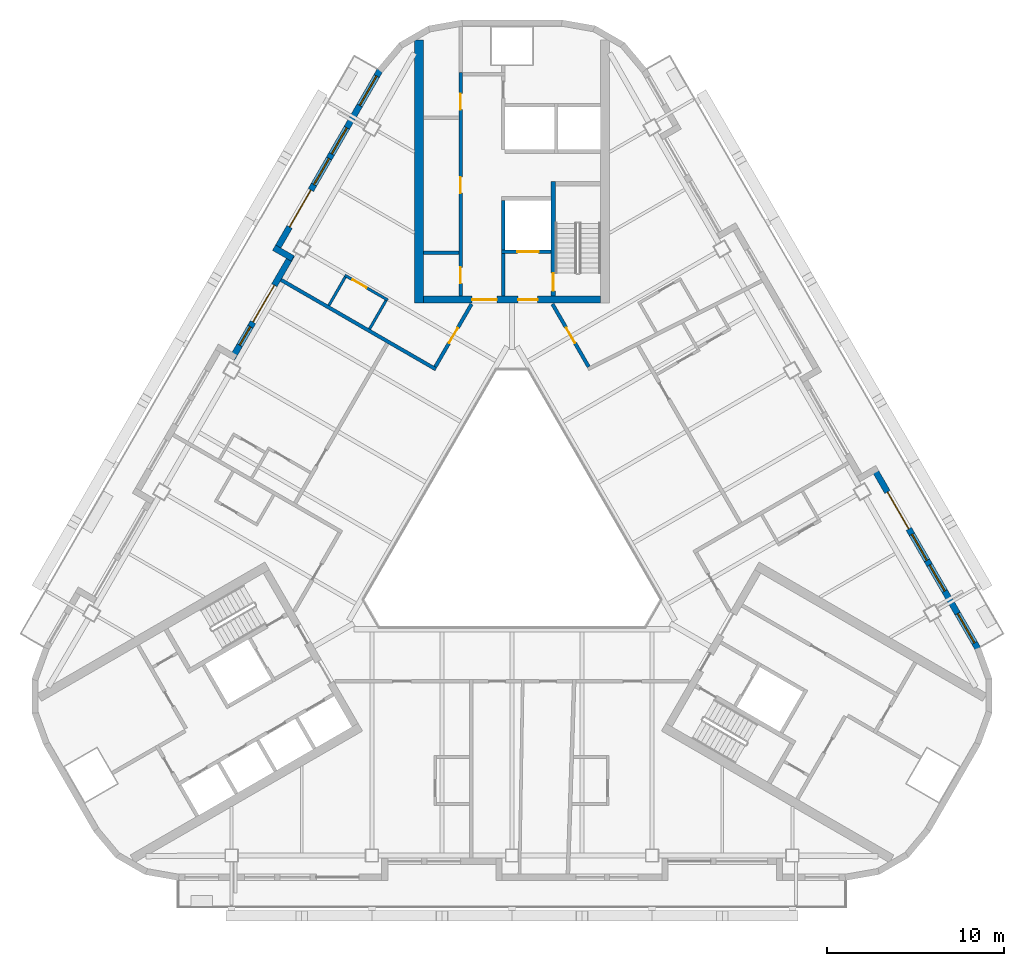
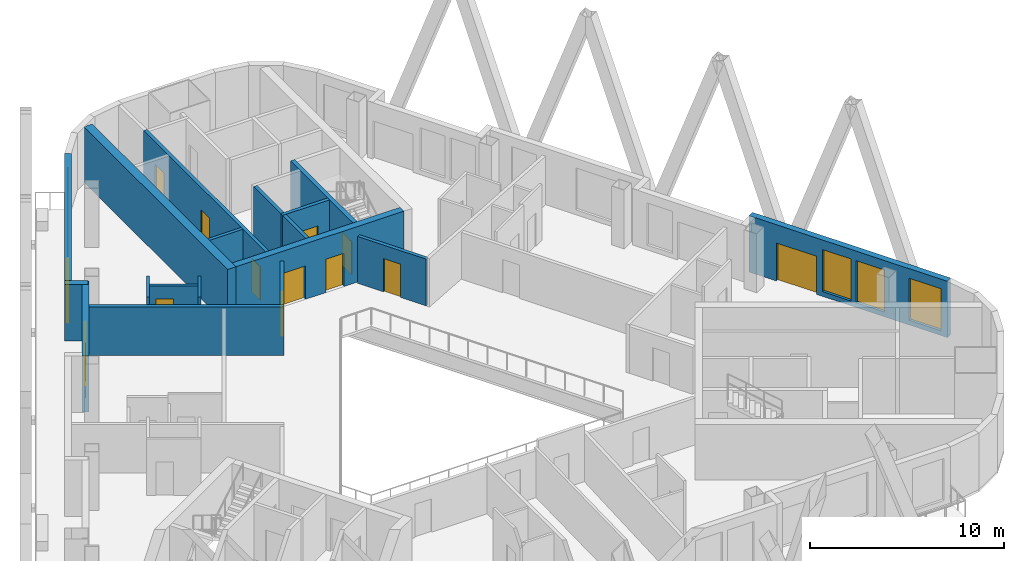
# One storey, part 6 of 14: 18 walls, 13 doors, 7 windows, 20 openings.
"""IFC4 building model written with IfcOpenShell, lengths in metres."""

from ifc_helpers import new_model, si_unit, direction, frame, frame_2d, origin, place, context, subcontext, project, spatial, rectangle, extrude, material, layer, layer_set, type_object, element, fill, save


model = new_model("IFC4")

# Units and contexts
model_context = context("Model", 3, precision=1e-05, world=origin(), true_north=direction((0.0, 1.0)))
body_context = subcontext(model_context, "Body", "Model", "MODEL_VIEW")
ifc_project = project(units=[si_unit("LENGTHUNIT", "METRE"), si_unit("AREAUNIT", "SQUARE_METRE"), si_unit("VOLUMEUNIT", "CUBIC_METRE"), si_unit("PLANEANGLEUNIT", "RADIAN"), si_unit("MASSUNIT", "GRAM", prefix="KILO")], contexts=[model_context])

# Site, building, storey
site_placement = place(None, origin())
site = spatial("IfcSite", under=ifc_project, at=site_placement, CompositionType="ELEMENT")
building_placement = place(site_placement, origin())
building = spatial("IfcBuilding", under=site, at=building_placement, Name="Apuvela Tower Hotel", CompositionType="ELEMENT")
storey_placement = place(building_placement, frame((0.0, 0.0, 213.199951171875)))
storey = spatial("IfcBuildingStorey", under=building, at=storey_placement, Name="L52", CompositionType="ELEMENT", Elevation=213.199951171875)

# Wall, openings, doors
ifc_material_1 = material(Name="Concrete C50/60", Category="concrete")
ifc_layer_1 = layer(ifc_material_1, 0.39990234375)
ifc_layer_set_1 = layer_set([ifc_layer_1], Name="COR-WALL-CORE-400")
wall_type_1 = type_object("IfcWallType", Name="COR-WALL-CORE-400", PredefinedType="SHEAR", material=ifc_layer_set_1)
wall_1_placement = place(storey_placement, frame((5.0, 13.10009765625, 0.0), z_axis=(0.0, 0.0, 1.0), x_axis=(-1.0, 0.0, 0.0)))
wall_1 = element("IfcWall", 1, at=wall_1_placement, inside=storey, type_object=wall_type_1, Name="Core wall N", PredefinedType="SHEAR", context=body_context, shape_type="SweptSolid", body=[
    extrude(rectangle(XDim=10.0, YDim=0.39990234375, at=frame_2d((5.0, 0.0))), origin(), (0.0, 0.0, 1.0), 3.5),
])
opening_1_placement = place(wall_1_placement, frame((3.550048828125, 0.0, 0.0)))
opening_1 = element("IfcOpeningElement", 2, at=opening_1_placement, cuts=wall_1, Name="Opening N-FD", PredefinedType="OPENING", context=body_context, shape_type="SweptSolid", body=[
    extrude(rectangle(XDim=1.10009765625, YDim=2.10009765625, at=frame_2d((0.550048828125, 1.050048828125))), frame((0.0, 0.2099609375, 0.0), z_axis=(0.0, -1.0, 0.0), x_axis=(1.0, 0.0, 0.0)), (0.0, 0.0, 1.0), 0.419921875),
])
opening_2_placement = place(wall_1_placement, frame((5.85009765625, 0.0, 0.0)))
opening_2 = element("IfcOpeningElement", 3, at=opening_2_placement, cuts=wall_1, Name="Opening N-GD", PredefinedType="OPENING", context=body_context, shape_type="SweptSolid", body=[
    extrude(rectangle(XDim=1.39990234375, YDim=2.10009765625, at=frame_2d((0.699951171875, 1.050048828125))), frame((0.0, 0.2099609375, 0.0), z_axis=(0.0, -1.0, 0.0), x_axis=(1.0, 0.0, 0.0)), (0.0, 0.0, 1.0), 0.419921875),
])
ifc_material_2 = material(Name="Steel fire door, powder coated", Category="steel")
door_type_1 = type_object("IfcDoorType", Name="COR-FD-1100", OperationType="NOTDEFINED", PredefinedType="DOOR", material=ifc_material_2)
door_1_placement = place(opening_1_placement, frame((1.10009765625, 0.0, 0.0), z_axis=(0.0, 0.0, 1.0), x_axis=(-1.0, 0.0, 0.0)))
door_1 = element("IfcDoor", 4, at=door_1_placement, inside=storey, type_object=door_type_1, Name="Firefighting lobby door N-FD", OperationType="SINGLE_SWING_LEFT", OverallHeight=2.10009765625, OverallWidth=1.10009765625, PredefinedType="DOOR", context=body_context, shape_type="SweptSolid", body=[
    extrude(rectangle(XDim=1.10009765625, YDim=2.10009765625, at=frame_2d((0.550048828125, 1.050048828125))), frame((0.0, 0.02490234375, 0.0), z_axis=(0.0, -1.0, 0.0), x_axis=(1.0, 0.0, 0.0)), (0.0, 0.0, 1.0), 0.050048828125),
])
fill(opening_1, door_1)
ifc_material_3 = material(Name="Glazed steel fire door", Category="steel")
door_type_2 = type_object("IfcDoorType", Name="COR-GD-1400", OperationType="DOUBLE_DOOR_SINGLE_SWING", PredefinedType="DOOR", material=ifc_material_3)
door_2_placement = place(opening_2_placement, frame((1.39990234375, 0.0, 0.0), z_axis=(0.0, 0.0, 1.0), x_axis=(-1.0, 0.0, 0.0)))
door_2 = element("IfcDoor", 5, at=door_2_placement, inside=storey, type_object=door_type_2, Name="Lift lobby door N-GD", OperationType="DOUBLE_DOOR_SINGLE_SWING", OverallHeight=2.10009765625, OverallWidth=1.39990234375, PredefinedType="DOOR", context=body_context, shape_type="SweptSolid", body=[
    extrude(rectangle(XDim=1.39990234375, YDim=2.10009765625, at=frame_2d((0.699951171875, 1.050048828125))), frame((0.0, 0.02490234375, 0.0), z_axis=(0.0, -1.0, 0.0), x_axis=(1.0, 0.0, 0.0)), (0.0, 0.0, 1.0), 0.050048828125),
])
fill(opening_2, door_2)

# Wall
ifc_layer_2 = layer(ifc_material_1, 0.5)
ifc_layer_set_2 = layer_set([ifc_layer_2], Name="COR-WALL-CORE-500")
wall_type_2 = type_object("IfcWallType", Name="COR-WALL-CORE-500", PredefinedType="SHEAR", material=ifc_layer_set_2)
wall_2_placement = place(storey_placement, frame((-5.25, 12.89990234375, 0.0), z_axis=(0.0, 0.0, 1.0), x_axis=(0.0, 1.0, 0.0)))
element("IfcWall", 6, at=wall_2_placement, inside=storey, type_object=wall_type_2, Name="Core wall N", PredefinedType="SHEAR", context=body_context, shape_type="SweptSolid", body=[
    extrude(rectangle(XDim=14.8369140625, YDim=0.5, at=frame_2d((7.41845703125, 0.0))), origin(), (0.0, 0.0, 1.0), 3.5),
])

# Wall, opening, door
ifc_layer_3 = layer(ifc_material_1, 0.199951171875)
ifc_layer_set_3 = layer_set([ifc_layer_3], Name="COR-WALL-SHAFT-200")
wall_type_3 = type_object("IfcWallType", Name="COR-WALL-SHAFT-200", PredefinedType="SHEAR", material=ifc_layer_set_3)
wall_3_placement = place(storey_placement, frame((2.199951171875, 15.800048828125, 0.0), z_axis=(0.0, 0.0, 1.0), x_axis=(-1.0, 0.0, 0.0)))
wall_3 = element("IfcWall", 7, at=wall_3_placement, inside=storey, type_object=wall_type_3, Name="Shaft wall N", PredefinedType="SHEAR", context=body_context, shape_type="SweptSolid", body=[
    extrude(rectangle(XDim=2.800048828125, YDim=0.199951171875, at=frame_2d((1.39990234375, 0.0))), origin(), (0.0, 0.0, 1.0), 3.5),
])
opening_3_placement = place(wall_3_placement, frame((0.699951171875, 0.0, 0.0)))
opening_3 = element("IfcOpeningElement", 8, at=opening_3_placement, cuts=wall_3, Name="Opening N-LD-FS1", PredefinedType="OPENING", context=body_context, shape_type="SweptSolid", body=[
    extrude(rectangle(XDim=1.199951171875, YDim=2.10009765625, at=frame_2d((0.60009765625, 1.050048828125))), frame((0.0, 0.10986328125, 0.0), z_axis=(0.0, -1.0, 0.0), x_axis=(1.0, 0.0, 0.0)), (0.0, 0.0, 1.0), 0.219970703125),
])
ifc_material_4 = material(Name="Stainless steel lift landing door", Category="steel")
door_type_3 = type_object("IfcDoorType", Name="COR-LD-1200", OperationType="DOUBLE_DOOR_SLIDING", PredefinedType="DOOR", material=ifc_material_4)
door_3_placement = place(opening_3_placement, origin())
door_3 = element("IfcDoor", 9, at=door_3_placement, inside=storey, type_object=door_type_3, Name="Lift landing door N-LD-FS1", OperationType="DOUBLE_DOOR_SLIDING", OverallHeight=2.10009765625, OverallWidth=1.199951171875, PredefinedType="DOOR", context=body_context, shape_type="SweptSolid", body=[
    extrude(rectangle(XDim=1.199951171875, YDim=2.10009765625, at=frame_2d((0.60009765625, 1.050048828125))), frame((0.0, 0.02490234375, 0.0), z_axis=(0.0, -1.0, 0.0), x_axis=(1.0, 0.0, 0.0)), (0.0, 0.0, 1.0), 0.050048828125),
])
fill(opening_3, door_3)

# Walls
wall_4_placement = place(storey_placement, frame((-0.5, 15.89990234375, 0.0), z_axis=(0.0, 0.0, 1.0), x_axis=(0.0, 1.0, 0.0)))
element("IfcWall", 10, at=wall_4_placement, inside=storey, type_object=wall_type_3, Name="Shaft wall N", PredefinedType="SHEAR", context=body_context, shape_type="SweptSolid", body=[
    extrude(rectangle(XDim=2.800048828125, YDim=0.199951171875, at=frame_2d((1.39990234375, 0.0))), origin(), (0.0, 0.0, 1.0), 3.5),
])
wall_5_placement = place(storey_placement, frame((-0.5, 13.300048828125, 0.0), z_axis=(0.0, 0.0, 1.0), x_axis=(0.0, 1.0, 0.0)))
element("IfcWall", 11, at=wall_5_placement, inside=storey, type_object=wall_type_3, Name="Shaft wall N", PredefinedType="SHEAR", context=body_context, shape_type="SweptSolid", body=[
    extrude(rectangle(XDim=2.39990234375, YDim=0.199951171875, at=frame_2d((1.199951171875, 0.0))), origin(), (0.0, 0.0, 1.0), 3.5),
])

# Wall, openings, doors
wall_6_placement = place(storey_placement, frame((-2.89990234375, 13.300048828125, 0.0), z_axis=(0.0, 0.0, 1.0), x_axis=(0.0, 1.0, 0.0)))
wall_6 = element("IfcWall", 12, at=wall_6_placement, inside=storey, type_object=wall_type_3, Name="Shaft wall N", PredefinedType="SHEAR", context=body_context, shape_type="SweptSolid", body=[
    extrude(rectangle(XDim=12.599853515625, YDim=0.199951171875, at=frame_2d((6.2998046875, 0.0))), origin(), (0.0, 0.0, 1.0), 3.5),
])
opening_4_placement = place(wall_6_placement, frame((0.719970703125, 0.0, 0.0)))
opening_4 = element("IfcOpeningElement", 13, at=opening_4_placement, cuts=wall_6, Name="Opening N-RE1", PredefinedType="OPENING", context=body_context, shape_type="SweptSolid", body=[
    extrude(rectangle(XDim=0.89990234375, YDim=2.10009765625, at=frame_2d((0.449951171875, 1.050048828125))), frame((0.0, 0.10986328125, 0.0), z_axis=(0.0, -1.0, 0.0), x_axis=(1.0, 0.0, 0.0)), (0.0, 0.0, 1.0), 0.219970703125),
])
opening_5_placement = place(wall_6_placement, frame((5.800048828125, 0.0, 0.0)))
opening_5 = element("IfcOpeningElement", 14, at=opening_5_placement, cuts=wall_6, Name="Opening N-RE2", PredefinedType="OPENING", context=body_context, shape_type="SweptSolid", body=[
    extrude(rectangle(XDim=0.89990234375, YDim=2.10009765625, at=frame_2d((0.449951171875, 1.050048828125))), frame((0.0, 0.10986328125, 0.0), z_axis=(0.0, -1.0, 0.0), x_axis=(1.0, 0.0, 0.0)), (0.0, 0.0, 1.0), 0.219970703125),
])
opening_6_placement = place(wall_6_placement, frame((10.510009765625, 0.0, 0.0)))
opening_6 = element("IfcOpeningElement", 15, at=opening_6_placement, cuts=wall_6, Name="Opening N-REP", PredefinedType="OPENING", context=body_context, shape_type="SweptSolid", body=[
    extrude(rectangle(XDim=0.89990234375, YDim=2.10009765625, at=frame_2d((0.449951171875, 1.050048828125))), frame((0.0, 0.10986328125, 0.0), z_axis=(0.0, -1.0, 0.0), x_axis=(1.0, 0.0, 0.0)), (0.0, 0.0, 1.0), 0.219970703125),
])
door_type_4 = type_object("IfcDoorType", Name="COR-DR-900", OperationType="NOTDEFINED", PredefinedType="DOOR", material=ifc_material_2)
door_4_placement = place(opening_4_placement, origin())
door_4 = element("IfcDoor", 16, at=door_4_placement, inside=storey, type_object=door_type_4, Name="Store door N-RE1", OperationType="SINGLE_SWING_LEFT", OverallHeight=2.10009765625, OverallWidth=0.89990234375, PredefinedType="DOOR", context=body_context, shape_type="SweptSolid", body=[
    extrude(rectangle(XDim=0.89990234375, YDim=2.10009765625, at=frame_2d((0.449951171875, 1.050048828125))), frame((0.0, 0.02490234375, 0.0), z_axis=(0.0, -1.0, 0.0), x_axis=(1.0, 0.0, 0.0)), (0.0, 0.0, 1.0), 0.050048828125),
])
fill(opening_4, door_4)
door_5_placement = place(opening_5_placement, origin())
door_5 = element("IfcDoor", 17, at=door_5_placement, inside=storey, type_object=door_type_4, Name="Store door N-RE2", OperationType="SINGLE_SWING_RIGHT", OverallHeight=2.10009765625, OverallWidth=0.89990234375, PredefinedType="DOOR", context=body_context, shape_type="SweptSolid", body=[
    extrude(rectangle(XDim=0.89990234375, YDim=2.10009765625, at=frame_2d((0.449951171875, 1.050048828125))), frame((0.0, 0.02490234375, 0.0), z_axis=(0.0, -1.0, 0.0), x_axis=(1.0, 0.0, 0.0)), (0.0, 0.0, 1.0), 0.050048828125),
])
fill(opening_5, door_5)
door_6_placement = place(opening_6_placement, origin())
door_6 = element("IfcDoor", 18, at=door_6_placement, inside=storey, type_object=door_type_4, Name="Store door N-REP", OperationType="SINGLE_SWING_RIGHT", OverallHeight=2.10009765625, OverallWidth=0.89990234375, PredefinedType="DOOR", context=body_context, shape_type="SweptSolid", body=[
    extrude(rectangle(XDim=0.89990234375, YDim=2.10009765625, at=frame_2d((0.449951171875, 1.050048828125))), frame((0.0, 0.02490234375, 0.0), z_axis=(0.0, -1.0, 0.0), x_axis=(1.0, 0.0, 0.0)), (0.0, 0.0, 1.0), 0.050048828125),
])
fill(opening_6, door_6)

# Wall
wall_7_placement = place(storey_placement, frame((-3.0, 15.739990234375, 0.0), z_axis=(0.0, 0.0, 1.0), x_axis=(-1.0, 0.0, 0.0)))
element("IfcWall", 19, at=wall_7_placement, inside=storey, type_object=wall_type_3, Name="Shaft wall N", PredefinedType="SHEAR", context=body_context, shape_type="SweptSolid", body=[
    extrude(rectangle(XDim=2.0, YDim=0.199951171875, at=frame_2d((1.0, 0.0))), origin(), (0.0, 0.0, 1.0), 3.5),
])

# Wall, opening, door
ifc_layer_4 = layer(ifc_material_1, 0.25)
ifc_layer_set_4 = layer_set([ifc_layer_4], Name="COR-WALL-STAIR-250")
wall_type_4 = type_object("IfcWallType", Name="COR-WALL-STAIR-250", PredefinedType="SHEAR", material=ifc_layer_set_4)
wall_8_placement = place(storey_placement, frame((2.324951171875, 13.300048828125, 0.0), z_axis=(0.0, 0.0, 1.0), x_axis=(0.0, 1.0, 0.0)))
wall_8 = element("IfcWall", 20, at=wall_8_placement, inside=storey, type_object=wall_type_4, Name="Stair wall N", PredefinedType="SHEAR", context=body_context, shape_type="SweptSolid", body=[
    extrude(rectangle(XDim=6.449951171875, YDim=0.25, at=frame_2d((3.22509765625, 0.0))), origin(), (0.0, 0.0, 1.0), 3.5),
])
opening_7_placement = place(wall_8_placement, frame((0.300048828125, 0.0, 0.0)))
opening_7 = element("IfcOpeningElement", 21, at=opening_7_placement, cuts=wall_8, Name="Opening N-SD", PredefinedType="OPENING", context=body_context, shape_type="SweptSolid", body=[
    extrude(rectangle(XDim=1.0, YDim=2.10009765625, at=frame_2d((0.5, 1.050048828125))), frame((0.0, 0.135009765625, 0.0), z_axis=(0.0, -1.0, 0.0), x_axis=(1.0, 0.0, 0.0)), (0.0, 0.0, 1.0), 0.27001953125),
])
door_type_5 = type_object("IfcDoorType", Name="COR-SD-1000", OperationType="NOTDEFINED", PredefinedType="DOOR", material=ifc_material_2)
door_7_placement = place(opening_7_placement, frame((1.0, 0.0, 0.0), z_axis=(0.0, 0.0, 1.0), x_axis=(-1.0, 0.0, 0.0)))
door_7 = element("IfcDoor", 22, at=door_7_placement, inside=storey, type_object=door_type_5, Name="Stair door N-SD", OperationType="SINGLE_SWING_LEFT", OverallHeight=2.10009765625, OverallWidth=1.0, PredefinedType="DOOR", context=body_context, shape_type="SweptSolid", body=[
    extrude(rectangle(XDim=1.0, YDim=2.10009765625, at=frame_2d((0.5, 1.050048828125))), frame((0.0, 0.02490234375, 0.0), z_axis=(0.0, -1.0, 0.0), x_axis=(1.0, 0.0, 0.0)), (0.0, 0.0, 1.0), 0.050048828125),
])
fill(opening_7, door_7)

# Wall, openings, door, windows
ifc_material_5 = material(Name="Concrete C40/50, dark pigmented precast panel", Category="concrete")
ifc_layer_5 = layer(ifc_material_5, 0.35009765625)
ifc_layer_set_5 = layer_set([ifc_layer_5], Name="ENV-WALL-350")
wall_type_5 = type_object("IfcWallType", Name="ENV-WALL-350", PredefinedType="SOLIDWALL", material=ifc_layer_set_5)
wall_9_placement = place(storey_placement, frame((-7.440673828125, 26.0224609375, 0.0), z_axis=(0.0, 0.0, 1.0), x_axis=(-0.499992533062, -0.86602971478, 0.0)))
wall_9 = element("IfcWall", 23, at=wall_9_placement, inside=storey, type_object=wall_type_5, Name="External wall L52-01", PredefinedType="SOLIDWALL", context=body_context, shape_type="SweptSolid", body=[
    extrude(rectangle(XDim=11.815673828125, YDim=0.35009765625, at=frame_2d((5.90771484375, 0.0))), origin(), (0.0, 0.0, 1.0), 3.550048828125),
])
opening_8_placement = place(wall_9_placement, frame((0.381103515625, 0.0, 0.300048828125)))
opening_8 = element("IfcOpeningElement", 24, at=opening_8_placement, cuts=wall_9, Name="Opening WN19", PredefinedType="OPENING", context=body_context, shape_type="SweptSolid", body=[
    extrude(rectangle(XDim=1.89990234375, YDim=2.64990234375, at=frame_2d((0.949951171875, 1.324951171875))), frame((0.0, 0.18505859375, 0.0), z_axis=(0.0, -1.0, 0.0), x_axis=(1.0, 0.0, 0.0)), (0.0, 0.0, 1.0), 0.3701171875),
])
opening_9_placement = place(wall_9_placement, frame((7.79052734375, 0.0, 0.0)))
opening_9 = element("IfcOpeningElement", 25, at=opening_9_placement, cuts=wall_9, Name="Opening BD24", PredefinedType="OPENING", context=body_context, shape_type="SweptSolid", body=[
    extrude(rectangle(XDim=2.39990234375, YDim=2.39990234375, at=frame_2d((1.199951171875, 1.199951171875))), frame((0.0, 0.18505859375, 0.0), z_axis=(0.0, -1.0, 0.0), x_axis=(1.0, 0.0, 0.0)), (0.0, 0.0, 1.0), 0.3701171875),
])
opening_10_placement = place(wall_9_placement, frame((3.7412109375, 0.0, 0.300048828125)))
opening_10 = element("IfcOpeningElement", 26, at=opening_10_placement, cuts=wall_9, Name="Opening WN17", PredefinedType="OPENING", context=body_context, shape_type="SweptSolid", body=[
    extrude(rectangle(XDim=1.699951171875, YDim=2.64990234375, at=frame_2d((0.85009765625, 1.324951171875))), frame((0.0, 0.18505859375, 0.0), z_axis=(0.0, -1.0, 0.0), x_axis=(1.0, 0.0, 0.0)), (0.0, 0.0, 1.0), 0.3701171875),
])
opening_11_placement = place(wall_9_placement, frame((5.7412109375, 0.0, 0.300048828125)))
opening_11 = element("IfcOpeningElement", 27, at=opening_11_placement, cuts=wall_9, Name="Opening WN17", PredefinedType="OPENING", context=body_context, shape_type="SweptSolid", body=[
    extrude(rectangle(XDim=1.699951171875, YDim=2.64990234375, at=frame_2d((0.85009765625, 1.324951171875))), frame((0.0, 0.18505859375, 0.0), z_axis=(0.0, -1.0, 0.0), x_axis=(1.0, 0.0, 0.0)), (0.0, 0.0, 1.0), 0.3701171875),
])
ifc_material_6 = material(Name="Aluminium 6063-T6, dark bronze anodised frame with dark tinted laminated glass", Category="aluminium")
door_type_6 = type_object("IfcDoorType", Name="ENV-DOOR-BALCONY-2400x2400", OperationType="SLIDING_TO_LEFT", PredefinedType="DOOR", material=ifc_material_6)
door_8_placement = place(opening_9_placement, frame((2.39990234375, 0.0, 0.0), z_axis=(0.0, 0.0, 1.0), x_axis=(-1.0, 0.0, 0.0)))
door_8 = element("IfcDoor", 28, at=door_8_placement, inside=storey, type_object=door_type_6, Name="Balcony door BD24", OperationType="SLIDING_TO_LEFT", OverallHeight=2.39990234375, OverallWidth=2.39990234375, PredefinedType="DOOR", context=body_context, shape_type="SweptSolid", body=[
    extrude(rectangle(XDim=2.39990234375, YDim=2.39990234375, at=frame_2d((1.199951171875, 1.199951171875))), frame((0.0, 0.02490234375, 0.0), z_axis=(0.0, -1.0, 0.0), x_axis=(1.0, 0.0, 0.0)), (0.0, 0.0, 1.0), 0.050048828125),
])
fill(opening_9, door_8)
ifc_material_7 = material(Name="Glass, dark tinted laminated insulated glazing unit", Category="glass")
window_type_1 = type_object("IfcWindowType", Name="ENV-WIN-1700x2650", PartitioningType="SINGLE_PANEL", PredefinedType="WINDOW", material=ifc_material_7)
window_1_placement = place(opening_10_placement, origin())
window_1 = element("IfcWindow", 29, at=window_1_placement, inside=storey, type_object=window_type_1, Name="Window WN17", OverallHeight=2.64990234375, OverallWidth=1.699951171875, PartitioningType="SINGLE_PANEL", PredefinedType="WINDOW", context=body_context, shape_type="SweptSolid", body=[
    extrude(rectangle(XDim=1.699951171875, YDim=2.64990234375, at=frame_2d((0.85009765625, 1.324951171875))), frame((0.0, 0.030029296875, 0.0), z_axis=(0.0, -1.0, 0.0), x_axis=(1.0, 0.0, 0.0)), (0.0, 0.0, 1.0), 0.06005859375),
])
fill(opening_10, window_1)
window_2_placement = place(opening_11_placement, origin())
window_2 = element("IfcWindow", 30, at=window_2_placement, inside=storey, type_object=window_type_1, Name="Window WN17", OverallHeight=2.64990234375, OverallWidth=1.699951171875, PartitioningType="SINGLE_PANEL", PredefinedType="WINDOW", context=body_context, shape_type="SweptSolid", body=[
    extrude(rectangle(XDim=1.699951171875, YDim=2.64990234375, at=frame_2d((0.85009765625, 1.324951171875))), frame((0.0, 0.030029296875, 0.0), z_axis=(0.0, -1.0, 0.0), x_axis=(1.0, 0.0, 0.0)), (0.0, 0.0, 1.0), 0.06005859375),
])
fill(opening_11, window_2)
window_type_2 = type_object("IfcWindowType", Name="ENV-WIN-1900x2650", PartitioningType="SINGLE_PANEL", PredefinedType="WINDOW", material=ifc_material_7)
window_3_placement = place(opening_8_placement, origin())
window_3 = element("IfcWindow", 31, at=window_3_placement, inside=storey, type_object=window_type_2, Name="Window WN19", OverallHeight=2.64990234375, OverallWidth=1.89990234375, PartitioningType="SINGLE_PANEL", PredefinedType="WINDOW", context=body_context, shape_type="SweptSolid", body=[
    extrude(rectangle(XDim=1.89990234375, YDim=2.64990234375, at=frame_2d((0.949951171875, 1.324951171875))), frame((0.0, 0.030029296875, 0.0), z_axis=(0.0, -1.0, 0.0), x_axis=(1.0, 0.0, 0.0)), (0.0, 0.0, 1.0), 0.06005859375),
])
fill(opening_8, window_3)

# Wall
wall_10_placement = place(storey_placement, frame((-13.41259765625, 16.02880859375, 0.0), z_axis=(0.0, 0.0, 1.0), x_axis=(0.866005645448, -0.500034220881, 0.0)))
element("IfcWall", 32, at=wall_10_placement, inside=storey, type_object=wall_type_5, Name="External wall L52-02", PredefinedType="SOLIDWALL", context=body_context, shape_type="SweptSolid", body=[
    extrude(rectangle(XDim=1.22021484375, YDim=0.35009765625, at=frame_2d((0.610107421875, 0.0))), origin(), (0.0, 0.0, 1.0), 3.550048828125),
])

# Wall, openings, door, window
wall_11_placement = place(storey_placement, frame((-12.408935546875, 15.616943359375, 0.0), z_axis=(0.0, 0.0, 1.0), x_axis=(-0.500003597184, -0.866023326939, 0.0)))
wall_11 = element("IfcWall", 33, at=wall_11_placement, inside=storey, type_object=wall_type_5, Name="External wall L52-03", PredefinedType="SOLIDWALL", context=body_context, shape_type="SweptSolid", body=[
    extrude(rectangle(XDim=6.740234375, YDim=0.35009765625, at=frame_2d((3.3701171875, 0.0))), origin(), (0.0, 0.0, 1.0), 3.550048828125),
])
opening_12_placement = place(wall_11_placement, frame((1.970458984375, 0.0, 0.0)))
opening_12 = element("IfcOpeningElement", 34, at=opening_12_placement, cuts=wall_11, Name="Opening BD24", PredefinedType="OPENING", context=body_context, shape_type="SweptSolid", body=[
    extrude(rectangle(XDim=2.39990234375, YDim=2.39990234375, at=frame_2d((1.199951171875, 1.199951171875))), frame((0.0, 0.18505859375, 0.0), z_axis=(0.0, -1.0, 0.0), x_axis=(1.0, 0.0, 0.0)), (0.0, 0.0, 1.0), 0.3701171875),
])
opening_13_placement = place(wall_11_placement, frame((4.67041015625, 0.0, 0.300048828125)))
opening_13 = element("IfcOpeningElement", 35, at=opening_13_placement, cuts=wall_11, Name="Opening WN12", PredefinedType="OPENING", context=body_context, shape_type="SweptSolid", body=[
    extrude(rectangle(XDim=1.199951171875, YDim=2.64990234375, at=frame_2d((0.60009765625, 1.324951171875))), frame((0.0, 0.18505859375, 0.0), z_axis=(0.0, -1.0, 0.0), x_axis=(1.0, 0.0, 0.0)), (0.0, 0.0, 1.0), 0.3701171875),
])
door_9_placement = place(opening_12_placement, frame((2.39990234375, 0.0, 0.0), z_axis=(0.0, 0.0, 1.0), x_axis=(-1.0, 0.0, 0.0)))
door_9 = element("IfcDoor", 36, at=door_9_placement, inside=storey, type_object=door_type_6, Name="Balcony door BD24", OperationType="SLIDING_TO_LEFT", OverallHeight=2.39990234375, OverallWidth=2.39990234375, PredefinedType="DOOR", context=body_context, shape_type="SweptSolid", body=[
    extrude(rectangle(XDim=2.39990234375, YDim=2.39990234375, at=frame_2d((1.199951171875, 1.199951171875))), frame((0.0, 0.02490234375, 0.0), z_axis=(0.0, -1.0, 0.0), x_axis=(1.0, 0.0, 0.0)), (0.0, 0.0, 1.0), 0.050048828125),
])
fill(opening_12, door_9)
window_type_3 = type_object("IfcWindowType", Name="ENV-WIN-1200x2650", PartitioningType="SINGLE_PANEL", PredefinedType="WINDOW", material=ifc_material_7)
window_4_placement = place(opening_13_placement, origin())
window_4 = element("IfcWindow", 37, at=window_4_placement, inside=storey, type_object=window_type_3, Name="Window WN12", OverallHeight=2.64990234375, OverallWidth=1.199951171875, PartitioningType="SINGLE_PANEL", PredefinedType="WINDOW", context=body_context, shape_type="SweptSolid", body=[
    extrude(rectangle(XDim=1.199951171875, YDim=2.64990234375, at=frame_2d((0.60009765625, 1.324951171875))), frame((0.0, 0.030029296875, 0.0), z_axis=(0.0, -1.0, 0.0), x_axis=(1.0, 0.0, 0.0)), (0.0, 0.0, 1.0), 0.06005859375),
])
fill(opening_13, window_4)

# Wall, openings, door, windows
wall_12_placement = place(storey_placement, frame((26.256591796875, -6.5673828125, 0.0), z_axis=(0.0, 0.0, 1.0), x_axis=(-0.500023526245, 0.866011820475, 0.0)))
wall_12 = element("IfcWall", 38, at=wall_12_placement, inside=storey, type_object=wall_type_5, Name="External wall L52-33", PredefinedType="SOLIDWALL", context=body_context, shape_type="SweptSolid", body=[
    extrude(rectangle(XDim=11.81591796875, YDim=0.35009765625, at=frame_2d((5.907958984375, 0.0))), origin(), (0.0, 0.0, 1.0), 3.550048828125),
])
opening_14_placement = place(wall_12_placement, frame((0.380126953125, 0.0, 0.300048828125)))
opening_14 = element("IfcOpeningElement", 39, at=opening_14_placement, cuts=wall_12, Name="Opening WN19", PredefinedType="OPENING", context=body_context, shape_type="SweptSolid", body=[
    extrude(rectangle(XDim=1.89990234375, YDim=2.64990234375, at=frame_2d((0.949951171875, 1.324951171875))), frame((0.0, 0.18505859375, 0.0), z_axis=(0.0, -1.0, 0.0), x_axis=(1.0, 0.0, 0.0)), (0.0, 0.0, 1.0), 0.3701171875),
])
opening_15_placement = place(wall_12_placement, frame((7.791015625, 0.0, 0.0)))
opening_15 = element("IfcOpeningElement", 40, at=opening_15_placement, cuts=wall_12, Name="Opening BD24", PredefinedType="OPENING", context=body_context, shape_type="SweptSolid", body=[
    extrude(rectangle(XDim=2.39990234375, YDim=2.39990234375, at=frame_2d((1.199951171875, 1.199951171875))), frame((0.0, 0.18505859375, 0.0), z_axis=(0.0, -1.0, 0.0), x_axis=(1.0, 0.0, 0.0)), (0.0, 0.0, 1.0), 0.3701171875),
])
opening_16_placement = place(wall_12_placement, frame((3.74072265625, 0.0, 0.300048828125)))
opening_16 = element("IfcOpeningElement", 41, at=opening_16_placement, cuts=wall_12, Name="Opening WN17", PredefinedType="OPENING", context=body_context, shape_type="SweptSolid", body=[
    extrude(rectangle(XDim=1.699951171875, YDim=2.64990234375, at=frame_2d((0.85009765625, 1.324951171875))), frame((0.0, 0.18505859375, 0.0), z_axis=(0.0, -1.0, 0.0), x_axis=(1.0, 0.0, 0.0)), (0.0, 0.0, 1.0), 0.3701171875),
])
opening_17_placement = place(wall_12_placement, frame((5.74072265625, 0.0, 0.300048828125)))
opening_17 = element("IfcOpeningElement", 42, at=opening_17_placement, cuts=wall_12, Name="Opening WN17", PredefinedType="OPENING", context=body_context, shape_type="SweptSolid", body=[
    extrude(rectangle(XDim=1.699951171875, YDim=2.64990234375, at=frame_2d((0.85009765625, 1.324951171875))), frame((0.0, 0.18505859375, 0.0), z_axis=(0.0, -1.0, 0.0), x_axis=(1.0, 0.0, 0.0)), (0.0, 0.0, 1.0), 0.3701171875),
])
door_10_placement = place(opening_15_placement, frame((2.39990234375, 0.0, 0.0), z_axis=(0.0, 0.0, 1.0), x_axis=(-1.0, 0.0, 0.0)))
door_10 = element("IfcDoor", 43, at=door_10_placement, inside=storey, type_object=door_type_6, Name="Balcony door BD24", OperationType="SLIDING_TO_LEFT", OverallHeight=2.39990234375, OverallWidth=2.39990234375, PredefinedType="DOOR", context=body_context, shape_type="SweptSolid", body=[
    extrude(rectangle(XDim=2.39990234375, YDim=2.39990234375, at=frame_2d((1.199951171875, 1.199951171875))), frame((0.0, 0.02490234375, 0.0), z_axis=(0.0, -1.0, 0.0), x_axis=(1.0, 0.0, 0.0)), (0.0, 0.0, 1.0), 0.050048828125),
])
fill(opening_15, door_10)
window_5_placement = place(opening_16_placement, origin())
window_5 = element("IfcWindow", 44, at=window_5_placement, inside=storey, type_object=window_type_1, Name="Window WN17", OverallHeight=2.64990234375, OverallWidth=1.699951171875, PartitioningType="SINGLE_PANEL", PredefinedType="WINDOW", context=body_context, shape_type="SweptSolid", body=[
    extrude(rectangle(XDim=1.699951171875, YDim=2.64990234375, at=frame_2d((0.85009765625, 1.324951171875))), frame((0.0, 0.030029296875, 0.0), z_axis=(0.0, -1.0, 0.0), x_axis=(1.0, 0.0, 0.0)), (0.0, 0.0, 1.0), 0.06005859375),
])
fill(opening_16, window_5)
window_6_placement = place(opening_17_placement, origin())
window_6 = element("IfcWindow", 45, at=window_6_placement, inside=storey, type_object=window_type_1, Name="Window WN17", OverallHeight=2.64990234375, OverallWidth=1.699951171875, PartitioningType="SINGLE_PANEL", PredefinedType="WINDOW", context=body_context, shape_type="SweptSolid", body=[
    extrude(rectangle(XDim=1.699951171875, YDim=2.64990234375, at=frame_2d((0.85009765625, 1.324951171875))), frame((0.0, 0.030029296875, 0.0), z_axis=(0.0, -1.0, 0.0), x_axis=(1.0, 0.0, 0.0)), (0.0, 0.0, 1.0), 0.06005859375),
])
fill(opening_17, window_6)
window_7_placement = place(opening_14_placement, origin())
window_7 = element("IfcWindow", 46, at=window_7_placement, inside=storey, type_object=window_type_2, Name="Window WN19", OverallHeight=2.64990234375, OverallWidth=1.89990234375, PartitioningType="SINGLE_PANEL", PredefinedType="WINDOW", context=body_context, shape_type="SweptSolid", body=[
    extrude(rectangle(XDim=1.89990234375, YDim=2.64990234375, at=frame_2d((0.949951171875, 1.324951171875))), frame((0.0, 0.030029296875, 0.0), z_axis=(0.0, -1.0, 0.0), x_axis=(1.0, 0.0, 0.0)), (0.0, 0.0, 1.0), 0.06005859375),
])
fill(opening_14, window_7)

# Wall
ifc_material_8 = material(Name="Gypsum board partition on twin steel stud", Category="steel")
ifc_layer_6 = layer(ifc_material_8, 0.199951171875)
ifc_layer_set_6 = layer_set([ifc_layer_6], Name="GST-PW1")
wall_type_6 = type_object("IfcWallType", Name="GST-PW1", PredefinedType="PARTITIONING", material=ifc_layer_set_6)
wall_13_placement = place(storey_placement, frame((-13.017578125, 14.212890625, 0.0), z_axis=(0.0, 0.0, 1.0), x_axis=(0.866022637375, -0.500004791531, 0.0)))
element("IfcWall", 47, at=wall_13_placement, inside=storey, type_object=wall_type_6, Name="L52 partition 05", PredefinedType="PARTITIONING", context=body_context, shape_type="SweptSolid", body=[
    extrude(rectangle(XDim=10.080078125, YDim=0.199951171875, at=frame_2d((5.0400390625, 0.0))), origin(), (0.0, 0.0, 1.0), 3.06005859375),
])

# Wall, opening, door
ifc_material_9 = material(Name="Gypsum board corridor wall on twin steel stud, acoustic", Category="steel")
ifc_layer_7 = layer(ifc_material_9, 0.199951171875)
ifc_layer_set_7 = layer_set([ifc_layer_7], Name="GST-PW2")
wall_type_7 = type_object("IfcWallType", Name="GST-PW2", PredefinedType="PARTITIONING", material=ifc_layer_set_7)
wall_14_placement = place(storey_placement, frame((2.280517578125, 12.85009765625, 0.0), z_axis=(0.0, 0.0, 1.0), x_axis=(0.500010586081, -0.866019291821, 0.0)))
wall_14 = element("IfcWall", 48, at=wall_14_placement, inside=storey, type_object=wall_type_7, Name="L52 partition 27", PredefinedType="PARTITIONING", context=body_context, shape_type="SweptSolid", body=[
    extrude(rectangle(XDim=4.0830078125, YDim=0.199951171875, at=frame_2d((2.04150390625, 0.0))), origin(), (0.0, 0.0, 1.0), 2.949951171875),
])
opening_18_placement = place(wall_14_placement, frame((1.541259765625, 0.0, 0.0)))
opening_18 = element("IfcOpeningElement", 49, at=opening_18_placement, cuts=wall_14, Name="Opening GD20-13", PredefinedType="OPENING", context=body_context, shape_type="SweptSolid", body=[
    extrude(rectangle(XDim=1.0, YDim=2.10009765625, at=frame_2d((0.5, 1.050048828125))), frame((0.0, 0.10986328125, 0.0), z_axis=(0.0, -1.0, 0.0), x_axis=(1.0, 0.0, 0.0)), (0.0, 0.0, 1.0), 0.219970703125),
])
ifc_material_10 = material(Name="Timber door leaf in steel frame", Category="steel")
door_type_7 = type_object("IfcDoorType", Name="GST-D1", OperationType="NOTDEFINED", PredefinedType="DOOR", material=ifc_material_10)
door_11_placement = place(opening_18_placement, origin())
door_11 = element("IfcDoor", 50, at=door_11_placement, inside=storey, type_object=door_type_7, Name="Door L52-13", OperationType="SINGLE_SWING_RIGHT", OverallHeight=2.10009765625, OverallWidth=1.0, PredefinedType="DOOR", context=body_context, shape_type="SweptSolid", body=[
    extrude(rectangle(XDim=1.0, YDim=2.10009765625, at=frame_2d((0.5, 1.050048828125))), frame((0.0, 0.02490234375, 0.0), z_axis=(0.0, -1.0, 0.0), x_axis=(1.0, 0.0, 0.0)), (0.0, 0.0, 1.0), 0.050048828125),
])
fill(opening_18, door_11)

wall_15_placement = place(storey_placement, frame((-4.32470703125, 9.3095703125, 0.0), z_axis=(0.0, 0.0, 1.0), x_axis=(0.500011931275, 0.86601851515, 0.0)))
wall_15 = element("IfcWall", 51, at=wall_15_placement, inside=storey, type_object=wall_type_7, Name="L52 partition 31", PredefinedType="PARTITIONING", context=body_context, shape_type="SweptSolid", body=[
    extrude(rectangle(XDim=4.08837890625, YDim=0.199951171875, at=frame_2d((2.044189453125, 0.0))), origin(), (0.0, 0.0, 1.0), 2.949951171875),
])
opening_19_placement = place(wall_15_placement, frame((1.544189453125, 0.0, 0.0)))
opening_19 = element("IfcOpeningElement", 52, at=opening_19_placement, cuts=wall_15, Name="Opening GD20-15", PredefinedType="OPENING", context=body_context, shape_type="SweptSolid", body=[
    extrude(rectangle(XDim=1.0, YDim=2.10009765625, at=frame_2d((0.5, 1.050048828125))), frame((0.0, 0.10986328125, 0.0), z_axis=(0.0, -1.0, 0.0), x_axis=(1.0, 0.0, 0.0)), (0.0, 0.0, 1.0), 0.219970703125),
])
door_12_placement = place(opening_19_placement, origin())
door_12 = element("IfcDoor", 53, at=door_12_placement, inside=storey, type_object=door_type_7, Name="Door L52-15", OperationType="SINGLE_SWING_LEFT", OverallHeight=2.10009765625, OverallWidth=1.0, PredefinedType="DOOR", context=body_context, shape_type="SweptSolid", body=[
    extrude(rectangle(XDim=1.0, YDim=2.10009765625, at=frame_2d((0.5, 1.050048828125))), frame((0.0, 0.02490234375, 0.0), z_axis=(0.0, -1.0, 0.0), x_axis=(1.0, 0.0, 0.0)), (0.0, 0.0, 1.0), 0.050048828125),
])
fill(opening_19, door_12)

ifc_material_11 = material(Name="Moisture-resistant gypsum board wet wall on steel stud", Category="steel")
ifc_layer_8 = layer(ifc_material_11, 0.14990234375)
ifc_layer_set_8 = layer_set([ifc_layer_8], Name="GST-PW3")
wall_type_8 = type_object("IfcWallType", Name="GST-PW3", PredefinedType="PARTITIONING", material=ifc_layer_set_8)
wall_16_placement = place(storey_placement, frame((-6.99951171875, 13.07666015625, 0.0), z_axis=(0.0, 0.0, 1.0), x_axis=(-0.866034573852, 0.49998411664, 0.0)))
wall_16 = element("IfcWall", 54, at=wall_16_placement, inside=storey, type_object=wall_type_8, Name="L52 partition 32", PredefinedType="PARTITIONING", context=body_context, shape_type="SweptSolid", body=[
    extrude(rectangle(XDim=2.7998046875, YDim=0.14990234375, at=frame_2d((1.39990234375, 0.0))), origin(), (0.0, 0.0, 1.0), 2.949951171875),
])
opening_20_placement = place(wall_16_placement, frame((1.39990234375, 0.0, 0.0)))
opening_20 = element("IfcOpeningElement", 55, at=opening_20_placement, cuts=wall_16, Name="Opening GD20-14", PredefinedType="OPENING", context=body_context, shape_type="SweptSolid", body=[
    extrude(rectangle(XDim=0.89990234375, YDim=2.10009765625, at=frame_2d((0.449951171875, 1.050048828125))), frame((0.0, 0.0849609375, 0.0), z_axis=(0.0, -1.0, 0.0), x_axis=(1.0, 0.0, 0.0)), (0.0, 0.0, 1.0), 0.169921875),
])
door_type_8 = type_object("IfcDoorType", Name="GST-D2", OperationType="NOTDEFINED", PredefinedType="DOOR", material=ifc_material_10)
door_13_placement = place(opening_20_placement, origin())
door_13 = element("IfcDoor", 56, at=door_13_placement, inside=storey, type_object=door_type_8, Name="Door L52-14", OperationType="SINGLE_SWING_RIGHT", OverallHeight=2.10009765625, OverallWidth=0.89990234375, PredefinedType="DOOR", context=body_context, shape_type="SweptSolid", body=[
    extrude(rectangle(XDim=0.89990234375, YDim=2.10009765625, at=frame_2d((0.449951171875, 1.050048828125))), frame((0.0, 0.02490234375, 0.0), z_axis=(0.0, -1.0, 0.0), x_axis=(1.0, 0.0, 0.0)), (0.0, 0.0, 1.0), 0.050048828125),
])
fill(opening_20, door_13)

# Walls
for number, where, z_axis, x_axis, name in (
    (57, (-9.396728515625, 14.374267578125, 0.0), (0.0, 0.0, 1.0), (-0.499985172903, -0.866033964044, 0.0), "L52 partition 33"),
    (58, (-7.101806640625, 13.04931640625, 0.0), (0.0, 0.0, 1.0), (-0.499985172903, -0.866033964044, 0.0), "L52 partition 34"),
):
    element("IfcWall", number, at=place(storey_placement, frame(where, z_axis=z_axis, x_axis=x_axis)), inside=storey, type_object=wall_type_8, Name=name, PredefinedType="PARTITIONING", context=body_context, shape_type="SweptSolid", body=[
        extrude(rectangle(XDim=1.85009765625, YDim=0.14990234375, at=frame_2d((0.925048828125, 0.0))), origin(), (0.0, 0.0, 1.0), 3.550048828125),
    ])

save(model, "model.ifc")
